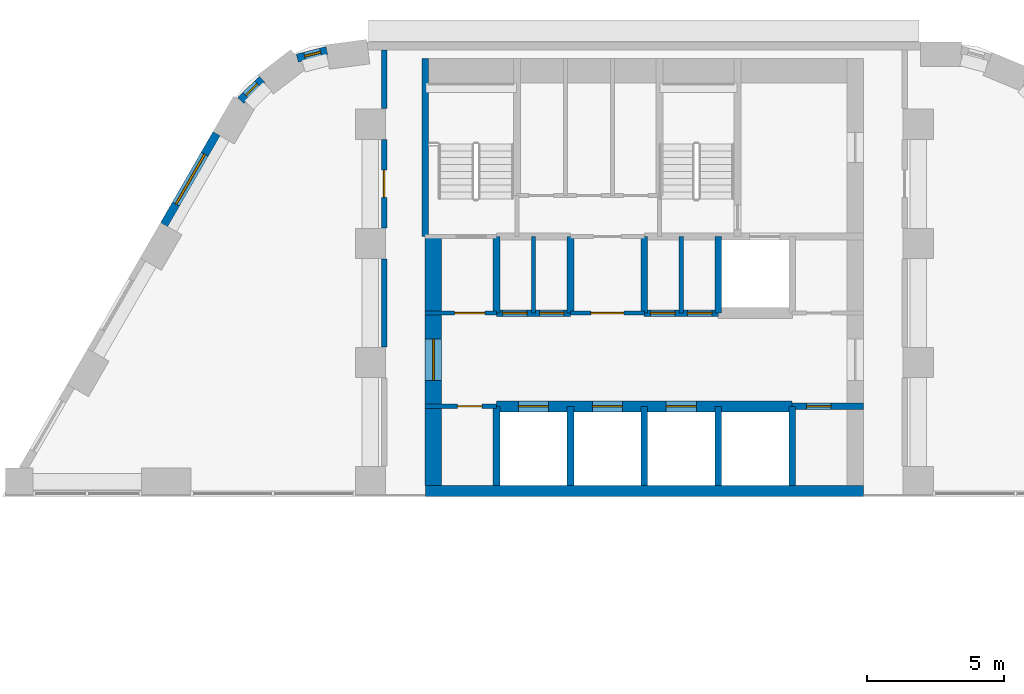
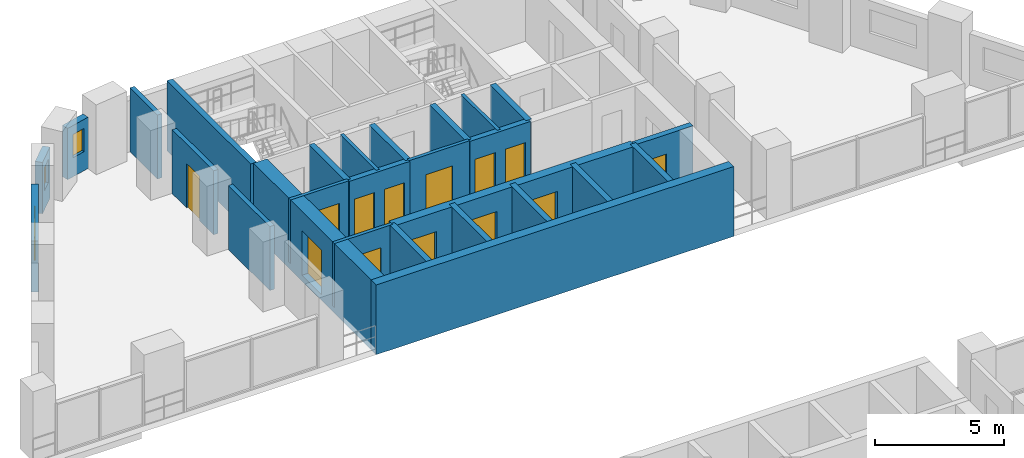
# One storey, part 7 of 11: 27 walls, 13 doors, 3 windows, 16 openings.
"""IFC4 building model written with IfcOpenShell, lengths in metres."""

from ifc_helpers import new_model, si_unit, direction, frame, frame_2d, origin, place, context, subcontext, project, spatial, rectangle, extrude, material, layer, layer_set, type_object, element, fill, save


model = new_model("IFC4")

# Units and contexts
model_context = context("Model", 3, precision=1e-05, world=origin(), true_north=direction((0.0, 1.0)))
body_context = subcontext(model_context, "Body", "Model", "MODEL_VIEW")
ifc_project = project(units=[si_unit("LENGTHUNIT", "METRE"), si_unit("AREAUNIT", "SQUARE_METRE"), si_unit("VOLUMEUNIT", "CUBIC_METRE"), si_unit("PLANEANGLEUNIT", "RADIAN"), si_unit("MASSUNIT", "GRAM", prefix="KILO")], contexts=[model_context])

# Site, building, storey
site_placement = place(None, origin())
site = spatial("IfcSite", under=ifc_project, at=site_placement, CompositionType="ELEMENT")
building_placement = place(site_placement, origin())
building = spatial("IfcBuilding", under=site, at=building_placement, Name="Nakaniwa Court", CompositionType="ELEMENT")
storey_placement = place(building_placement, frame((0.0, 0.0, 31.5)))
storey = spatial("IfcBuildingStorey", under=building, at=storey_placement, Name="L07", CompositionType="ELEMENT", Elevation=31.5)

# Wall
ifc_material_1 = material(Name="Acoustic double stud partition")
ifc_layer_1 = layer(ifc_material_1, 0.199951171875)
ifc_layer_set_1 = layer_set([ifc_layer_1], Name="Acoustic double stud partition")
wall_type_1 = type_object("IfcWallType", Name="Acoustic double stud partition 200", PredefinedType="PARTITIONING", material=ifc_layer_set_1)
wall_1_placement = place(storey_placement, frame((70.5, 92.866943359375, 0.0), z_axis=(0.0, 0.0, 1.0), x_axis=(0.0, 1.0, 0.0)))
element("IfcWall", 1, at=wall_1_placement, inside=storey, type_object=wall_type_1, Name="Partition PW-086", PredefinedType="PARTITIONING", context=body_context, shape_type="SweptSolid", body=[
    extrude(rectangle(XDim=3.216064453125, YDim=0.199951171875, at=frame_2d((1.60791015625, 0.0))), origin(), (0.0, 0.0, 1.0), 3.02490234375),
])

# Wall, opening, door
wall_2_placement = place(storey_placement, frame((70.5, 97.217041015625, 0.0), z_axis=(0.0, 0.0, 1.0), x_axis=(0.0, 1.0, 0.0)))
wall_2 = element("IfcWall", 2, at=wall_2_placement, inside=storey, type_object=wall_type_1, Name="Partition PW-087", PredefinedType="PARTITIONING", context=body_context, shape_type="SweptSolid", body=[
    extrude(rectangle(XDim=3.216064453125, YDim=0.199951171875, at=frame_2d((1.60791015625, 0.0))), origin(), (0.0, 0.0, 1.0), 3.02490234375),
])
opening_1_placement = place(wall_2_placement, frame((1.10791015625, 0.0, 0.0)))
opening_1 = element("IfcOpeningElement", 3, at=opening_1_placement, cuts=wall_2, Name="Opening D-02-04", PredefinedType="OPENING", context=body_context, shape_type="SweptSolid", body=[
    extrude(rectangle(XDim=1.0, YDim=2.10009765625, at=frame_2d((0.5, 1.050048828125))), frame((0.0, 0.10986328125, 0.0), z_axis=(0.0, -1.0, 0.0), x_axis=(1.0, 0.0, 0.0)), (0.0, 0.0, 1.0), 0.219970703125),
])
ifc_material_2 = material(Name="Solid core timber door set, black veneer", Category="wood")
door_type_1 = type_object("IfcDoorType", Name="Internal door 1000", OperationType="NOTDEFINED", PredefinedType="DOOR", material=ifc_material_2)
door_1_placement = place(opening_1_placement, origin())
door_1 = element("IfcDoor", 4, at=door_1_placement, inside=storey, type_object=door_type_1, Name="Door D-02-04 L07-034", OperationType="SINGLE_SWING_LEFT", OverallHeight=2.10009765625, OverallWidth=1.0, PredefinedType="DOOR", context=body_context, shape_type="SweptSolid", body=[
    extrude(rectangle(XDim=1.0, YDim=2.10009765625, at=frame_2d((0.5, 1.050048828125))), frame((0.0, 0.02490234375, 0.0), z_axis=(0.0, -1.0, 0.0), x_axis=(1.0, 0.0, 0.0)), (0.0, 0.0, 1.0), 0.050048828125),
])
fill(opening_1, door_1)

# Wall
wall_3_placement = place(storey_placement, frame((70.5, 101.56689453125, 0.0), z_axis=(0.0, 0.0, 1.0), x_axis=(0.0, 1.0, 0.0)))
element("IfcWall", 5, at=wall_3_placement, inside=storey, type_object=wall_type_1, Name="Partition PW-088", PredefinedType="PARTITIONING", context=body_context, shape_type="SweptSolid", body=[
    extrude(rectangle(XDim=2.133056640625, YDim=0.199951171875, at=frame_2d((1.06640625, 0.0))), origin(), (0.0, 0.0, 1.0), 3.02490234375),
])

# Wall, opening, window
ifc_material_3 = material(Name="Charcoal ceramic cladding")
ifc_layer_2 = layer(ifc_material_3, 0.02, Name="Ceramic cladding")
ifc_material_4 = material(Name="Ventilated air cavity")
ifc_layer_3 = layer(ifc_material_4, 0.04, ventilated=True, Name="Ventilated cavity")
ifc_material_5 = material(Name="Mineral wool insulation")
ifc_layer_4 = layer(ifc_material_5, 0.1, Name="Insulation")
ifc_material_6 = material(Name="Cement bonded sheathing board")
ifc_layer_5 = layer(ifc_material_6, 0.012, Name="Sheathing")
ifc_material_7 = material(Name="Cold-formed galvanised stud frame with mineral wool infill")
ifc_layer_6 = layer(ifc_material_7, 0.1, Name="Stud frame")
ifc_material_8 = material(Name="Fire-rated gypsum plasterboard lining")
ifc_layer_7 = layer(ifc_material_8, 0.028, Name="Lining")
ifc_layer_set_2 = layer_set([ifc_layer_2, ifc_layer_3, ifc_layer_4, ifc_layer_5, ifc_layer_6, ifc_layer_7], Name="Charcoal ceramic faced external wall system")
wall_type_2 = type_object("IfcWallType", Name="Black ceramic faced external wall 300", PredefinedType="SOLIDWALL", material=ifc_layer_set_2)
wall_4_placement = place(storey_placement, frame((68.4052734375, 103.68310546875, 0.0), z_axis=(0.0, 0.0, 1.0), x_axis=(-0.969766298956, -0.244035500304, 0.0)))
wall_4 = element("IfcWall", 6, at=wall_4_placement, inside=storey, type_object=wall_type_2, Name="L07 external wall 27", PredefinedType="SOLIDWALL", context=body_context, shape_type="SweptSolid", body=[
    extrude(rectangle(XDim=1.110595703125, YDim=0.300048828125, at=frame_2d((0.55517578125, 0.0))), origin(), (0.0, 0.0, 1.0), 2.425048828125),
])
opening_2_placement = place(wall_4_placement, frame((0.230712890625, 0.0, 0.89990234375)))
opening_2 = element("IfcOpeningElement", 7, at=opening_2_placement, cuts=wall_4, Name="Opening W8.18", PredefinedType="OPENING", context=body_context, shape_type="SweptSolid", body=[
    extrude(rectangle(XDim=0.60009765625, YDim=1.10009765625, at=frame_2d((0.300048828125, 0.550048828125))), frame((0.0, 0.159912109375, 0.0), z_axis=(0.0, -1.0, 0.0), x_axis=(1.0, 0.0, 0.0)), (0.0, 0.0, 1.0), 0.320068359375),
])
ifc_material_9 = material(Name="Black anodised aluminium frame with dark low-E laminated double glazing", Category="aluminium")
window_type_1 = type_object("IfcWindowType", Name="Dark glass window 600x1100 sill 900", PartitioningType="SINGLE_PANEL", PredefinedType="WINDOW", material=ifc_material_9)
window_1_placement = place(opening_2_placement, origin())
window_1 = element("IfcWindow", 8, at=window_1_placement, inside=storey, type_object=window_type_1, Name="L07 habitable room window 27-0", OverallHeight=1.10009765625, OverallWidth=0.60009765625, PartitioningType="SINGLE_PANEL", PredefinedType="WINDOW", context=body_context, shape_type="SweptSolid", body=[
    extrude(rectangle(XDim=0.60009765625, YDim=1.10009765625, at=frame_2d((0.300048828125, 0.550048828125))), frame((0.0, 0.030029296875, 0.0), z_axis=(0.0, -1.0, 0.0), x_axis=(1.0, 0.0, 0.0)), (0.0, 0.0, 1.0), 0.06005859375),
])
fill(opening_2, window_1)

wall_5_placement = place(storey_placement, frame((66.04150390625, 102.637451171875, 0.0), z_axis=(0.0, 0.0, 1.0), x_axis=(-0.708892395813, -0.705316646024, 0.0)))
wall_5 = element("IfcWall", 9, at=wall_5_placement, inside=storey, type_object=wall_type_2, Name="L07 external wall 28", PredefinedType="SOLIDWALL", context=body_context, shape_type="SweptSolid", body=[
    extrude(rectangle(XDim=1.092529296875, YDim=0.300048828125, at=frame_2d((0.54638671875, 0.0))), origin(), (0.0, 0.0, 1.0), 2.425048828125),
])
opening_3_placement = place(wall_5_placement, frame((0.23583984375, 0.0, 0.89990234375)))
opening_3 = element("IfcOpeningElement", 10, at=opening_3_placement, cuts=wall_5, Name="Opening W8.19", PredefinedType="OPENING", context=body_context, shape_type="SweptSolid", body=[
    extrude(rectangle(XDim=0.60009765625, YDim=1.10009765625, at=frame_2d((0.300048828125, 0.550048828125))), frame((0.0, 0.159912109375, 0.0), z_axis=(0.0, -1.0, 0.0), x_axis=(1.0, 0.0, 0.0)), (0.0, 0.0, 1.0), 0.320068359375),
])
window_2_placement = place(opening_3_placement, origin())
window_2 = element("IfcWindow", 11, at=window_2_placement, inside=storey, type_object=window_type_1, Name="L07 habitable room window 28-0", OverallHeight=1.10009765625, OverallWidth=0.60009765625, PartitioningType="SINGLE_PANEL", PredefinedType="WINDOW", context=body_context, shape_type="SweptSolid", body=[
    extrude(rectangle(XDim=0.60009765625, YDim=1.10009765625, at=frame_2d((0.300048828125, 0.550048828125))), frame((0.0, 0.030029296875, 0.0), z_axis=(0.0, -1.0, 0.0), x_axis=(1.0, 0.0, 0.0)), (0.0, 0.0, 1.0), 0.06005859375),
])
fill(opening_3, window_2)

wall_6_placement = place(storey_placement, frame((64.384765625, 100.653564453125, 0.0), z_axis=(0.0, 0.0, 1.0), x_axis=(-0.499974163209, -0.866040320149, 0.0)))
wall_6 = element("IfcWall", 12, at=wall_6_placement, inside=storey, type_object=wall_type_2, Name="L07 external wall 29", PredefinedType="SOLIDWALL", context=body_context, shape_type="SweptSolid", body=[
    extrude(rectangle(XDim=3.834228515625, YDim=0.300048828125, at=frame_2d((1.9169921875, 0.0))), origin(), (0.0, 0.0, 1.0), 2.425048828125),
])
opening_4_placement = place(wall_6_placement, frame((0.8671875, 0.0, 0.89990234375)))
opening_4 = element("IfcOpeningElement", 13, at=opening_4_placement, cuts=wall_6, Name="Opening W7.20", PredefinedType="OPENING", context=body_context, shape_type="SweptSolid", body=[
    extrude(rectangle(XDim=2.10009765625, YDim=1.10009765625, at=frame_2d((1.050048828125, 0.550048828125))), frame((0.0, 0.159912109375, 0.0), z_axis=(0.0, -1.0, 0.0), x_axis=(1.0, 0.0, 0.0)), (0.0, 0.0, 1.0), 0.320068359375),
])
window_type_2 = type_object("IfcWindowType", Name="Dark glass window 2100x1100 sill 900", PartitioningType="SINGLE_PANEL", PredefinedType="WINDOW", material=ifc_material_9)
window_3_placement = place(opening_4_placement, origin())
window_3 = element("IfcWindow", 14, at=window_3_placement, inside=storey, type_object=window_type_2, Name="L07 habitable room window 29-0", OverallHeight=1.10009765625, OverallWidth=2.10009765625, PartitioningType="SINGLE_PANEL", PredefinedType="WINDOW", context=body_context, shape_type="SweptSolid", body=[
    extrude(rectangle(XDim=2.10009765625, YDim=1.10009765625, at=frame_2d((1.050048828125, 0.550048828125))), frame((0.0, 0.030029296875, 0.0), z_axis=(0.0, -1.0, 0.0), x_axis=(1.0, 0.0, 0.0)), (0.0, 0.0, 1.0), 0.06005859375),
])
fill(opening_4, window_3)

# Wall, opening, door
ifc_material_10 = material(Name="Blockwork partition", Category="masonry")
ifc_layer_8 = layer(ifc_material_10, 0.14990234375)
ifc_layer_set_3 = layer_set([ifc_layer_8], Name="Blockwork partition")
wall_type_3 = type_object("IfcWallType", Name="Blockwork partition 150", PredefinedType="PARTITIONING", material=ifc_layer_set_3)
wall_7_placement = place(storey_placement, frame((74.60009765625, 90.699951171875, 0.0), z_axis=(0.0, 0.0, 1.0), x_axis=(-1.0, 0.0, 0.0)))
wall_7 = element("IfcWall", 15, at=wall_7_placement, inside=storey, type_object=wall_type_3, Name="Partition PW-003", PredefinedType="PARTITIONING", context=body_context, shape_type="SweptSolid", body=[
    extrude(rectangle(XDim=2.60009765625, YDim=0.14990234375, at=frame_2d((1.300048828125, 0.0))), origin(), (0.0, 0.0, 1.0), 3.02490234375),
])
opening_5_placement = place(wall_7_placement, frame((0.52490234375, 0.0, 0.0)))
opening_5 = element("IfcOpeningElement", 16, at=opening_5_placement, cuts=wall_7, Name="Opening D-05-01", PredefinedType="OPENING", context=body_context, shape_type="SweptSolid", body=[
    extrude(rectangle(XDim=0.89990234375, YDim=2.10009765625, at=frame_2d((0.449951171875, 1.050048828125))), frame((0.0, 0.0849609375, 0.0), z_axis=(0.0, -1.0, 0.0), x_axis=(1.0, 0.0, 0.0)), (0.0, 0.0, 1.0), 0.169921875),
])
ifc_material_11 = material(Name="Fire rated steel door set", Category="steel")
door_type_2 = type_object("IfcDoorType", Name="Service room door 900", OperationType="NOTDEFINED", PredefinedType="DOOR", material=ifc_material_11)
door_2_placement = place(opening_5_placement, origin())
door_2 = element("IfcDoor", 17, at=door_2_placement, inside=storey, type_object=door_type_2, Name="Door D-05-01 L07-001", OperationType="SINGLE_SWING_RIGHT", OverallHeight=2.10009765625, OverallWidth=0.89990234375, PredefinedType="DOOR", context=body_context, shape_type="SweptSolid", body=[
    extrude(rectangle(XDim=0.89990234375, YDim=2.10009765625, at=frame_2d((0.449951171875, 1.050048828125))), frame((0.0, 0.02490234375, 0.0), z_axis=(0.0, -1.0, 0.0), x_axis=(1.0, 0.0, 0.0)), (0.0, 0.0, 1.0), 0.050048828125),
])
fill(opening_5, door_2)

wall_8_placement = place(storey_placement, frame((72.0, 94.10009765625, 0.0), z_axis=(0.0, 0.0, 1.0), x_axis=(1.0, 0.0, 0.0)))
wall_8 = element("IfcWall", 18, at=wall_8_placement, inside=storey, type_object=wall_type_3, Name="Partition PW-016", PredefinedType="PARTITIONING", context=body_context, shape_type="SweptSolid", body=[
    extrude(rectangle(XDim=2.60302734375, YDim=0.14990234375, at=frame_2d((1.301513671875, 0.0))), origin(), (0.0, 0.0, 1.0), 3.02490234375),
])
opening_6_placement = place(wall_8_placement, frame((1.074951171875, 0.0, 0.0)))
opening_6 = element("IfcOpeningElement", 19, at=opening_6_placement, cuts=wall_8, Name="Opening D-08-01", PredefinedType="OPENING", context=body_context, shape_type="SweptSolid", body=[
    extrude(rectangle(XDim=1.10009765625, YDim=2.10009765625, at=frame_2d((0.550048828125, 1.050048828125))), frame((0.0, 0.0849609375, 0.0), z_axis=(0.0, -1.0, 0.0), x_axis=(1.0, 0.0, 0.0)), (0.0, 0.0, 1.0), 0.169921875),
])
door_type_3 = type_object("IfcDoorType", Name="Stair lobby door 1100", OperationType="NOTDEFINED", PredefinedType="DOOR", material=ifc_material_11)
door_3_placement = place(opening_6_placement, origin())
door_3 = element("IfcDoor", 20, at=door_3_placement, inside=storey, type_object=door_type_3, Name="Door D-08-01 L07-003", OperationType="SINGLE_SWING_RIGHT", OverallHeight=2.10009765625, OverallWidth=1.10009765625, PredefinedType="DOOR", context=body_context, shape_type="SweptSolid", body=[
    extrude(rectangle(XDim=1.10009765625, YDim=2.10009765625, at=frame_2d((0.550048828125, 1.050048828125))), frame((0.0, 0.02490234375, 0.0), z_axis=(0.0, -1.0, 0.0), x_axis=(1.0, 0.0, 0.0)), (0.0, 0.0, 1.0), 0.050048828125),
])
fill(opening_6, door_3)

wall_9_placement = place(storey_placement, frame((77.297119140625, 94.10009765625, 0.0), z_axis=(0.0, 0.0, 1.0), x_axis=(1.0, 0.0, 0.0)))
wall_9 = element("IfcWall", 21, at=wall_9_placement, inside=storey, type_object=wall_type_3, Name="Partition PW-017", PredefinedType="PARTITIONING", context=body_context, shape_type="SweptSolid", body=[
    extrude(rectangle(XDim=2.705810546875, YDim=0.14990234375, at=frame_2d((1.35302734375, 0.0))), origin(), (0.0, 0.0, 1.0), 3.02490234375),
])
opening_7_placement = place(wall_9_placement, frame((0.7529296875, 0.0, 0.0)))
opening_7 = element("IfcOpeningElement", 22, at=opening_7_placement, cuts=wall_9, Name="Opening D-06-01", PredefinedType="OPENING", context=body_context, shape_type="SweptSolid", body=[
    extrude(rectangle(XDim=1.199951171875, YDim=2.10009765625, at=frame_2d((0.60009765625, 1.050048828125))), frame((0.0, 0.0849609375, 0.0), z_axis=(0.0, -1.0, 0.0), x_axis=(1.0, 0.0, 0.0)), (0.0, 0.0, 1.0), 0.169921875),
])
ifc_material_12 = material(Name="Fire rated steel double door set", Category="steel")
door_type_4 = type_object("IfcDoorType", Name="Service passage double door 1200", OperationType="NOTDEFINED", PredefinedType="DOOR", material=ifc_material_12)
door_4_placement = place(opening_7_placement, origin())
door_4 = element("IfcDoor", 23, at=door_4_placement, inside=storey, type_object=door_type_4, Name="Door D-06-01 L07-006", OperationType="DOUBLE_DOOR_SINGLE_SWING", OverallHeight=2.10009765625, OverallWidth=1.199951171875, PredefinedType="DOOR", context=body_context, shape_type="SweptSolid", body=[
    extrude(rectangle(XDim=1.199951171875, YDim=2.10009765625, at=frame_2d((0.60009765625, 1.050048828125))), frame((0.0, 0.02490234375, 0.0), z_axis=(0.0, -1.0, 0.0), x_axis=(1.0, 0.0, 0.0)), (0.0, 0.0, 1.0), 0.050048828125),
])
fill(opening_7, door_4)

# Walls
for number, where, z_axis, x_axis, name in (
    (24, (75.949951171875, 94.10009765625, 0.0), (0.0, 0.0, 1.0), (0.0, 1.0, 0.0), "Partition PW-023"),
    (25, (81.35009765625, 94.10009765625, 0.0), (0.0, 0.0, 1.0), (0.0, 1.0, 0.0), "Partition PW-027"),
):
    element("IfcWall", number, at=place(storey_placement, frame(where, z_axis=z_axis, x_axis=x_axis)), inside=storey, type_object=wall_type_3, Name=name, PredefinedType="PARTITIONING", context=body_context, shape_type="SweptSolid", body=[
        extrude(rectangle(XDim=2.7998046875, YDim=0.14990234375, at=frame_2d((1.39990234375, 0.0))), origin(), (0.0, 0.0, 1.0), 3.02490234375),
    ])

# Wall, opening, door
ifc_material_13 = material(Name="Concrete C100/115", Category="concrete")
ifc_layer_9 = layer(ifc_material_13, 0.60009765625)
ifc_layer_set_4 = layer_set([ifc_layer_9], Name="Concrete C100/115")
wall_type_4 = type_object("IfcWallType", Name="Concrete core side wall 600 C100", PredefinedType="SHEAR", material=ifc_layer_set_4)
wall_10_placement = place(storey_placement, frame((72.300048828125, 87.800048828125, -0.27490234375), z_axis=(0.0, 0.0, 1.0), x_axis=(0.0, 1.0, 0.0)))
wall_10 = element("IfcWall", 26, at=wall_10_placement, inside=storey, type_object=wall_type_4, Name="Core wall SW-04", PredefinedType="SHEAR", context=body_context, shape_type="SweptSolid", body=[
    extrude(rectangle(XDim=9.099853515625, YDim=0.60009765625, at=frame_2d((4.5498046875, 0.0))), origin(), (0.0, 0.0, 1.0), 3.2998046875),
])
opening_8_placement = place(wall_10_placement, frame((3.85009765625, 0.0, 0.27490234375)))
opening_8 = element("IfcOpeningElement", 27, at=opening_8_placement, cuts=wall_10, Name="Opening D-07-02", PredefinedType="OPENING", context=body_context, shape_type="SweptSolid", body=[
    extrude(rectangle(XDim=1.5, YDim=2.10009765625, at=frame_2d((0.75, 1.050048828125))), frame((0.0, 0.31005859375, 0.0), z_axis=(0.0, -1.0, 0.0), x_axis=(1.0, 0.0, 0.0)), (0.0, 0.0, 1.0), 0.6201171875),
])
ifc_material_14 = material(Name="Glazed fire rated steel double door set", Category="steel")
door_type_5 = type_object("IfcDoorType", Name="Lobby double door 1500", OperationType="NOTDEFINED", PredefinedType="DOOR", material=ifc_material_14)
door_5_placement = place(opening_8_placement, origin())
door_5 = element("IfcDoor", 28, at=door_5_placement, inside=storey, type_object=door_type_5, Name="Door D-07-02 L07-036", OperationType="DOUBLE_DOOR_SINGLE_SWING", OverallHeight=2.10009765625, OverallWidth=1.5, PredefinedType="DOOR", context=body_context, shape_type="SweptSolid", body=[
    extrude(rectangle(XDim=1.5, YDim=2.10009765625, at=frame_2d((0.75, 1.050048828125))), frame((0.0, 0.02490234375, 0.0), z_axis=(0.0, -1.0, 0.0), x_axis=(1.0, 0.0, 0.0)), (0.0, 0.0, 1.0), 0.050048828125),
])
fill(opening_8, door_5)

# Wall, openings, doors
ifc_layer_10 = layer(ifc_material_13, 0.39990234375)
ifc_layer_set_5 = layer_set([ifc_layer_10], Name="Concrete C100/115")
wall_type_5 = type_object("IfcWallType", Name="Concrete core spine wall 400 C100", PredefinedType="SHEAR", material=ifc_layer_set_5)
wall_11_placement = place(storey_placement, frame((74.60009765625, 90.699951171875, -0.27490234375), z_axis=(0.0, 0.0, 1.0), x_axis=(1.0, 0.0, 0.0)))
wall_11 = element("IfcWall", 29, at=wall_11_placement, inside=storey, type_object=wall_type_5, Name="Core wall SW-07", PredefinedType="SHEAR", context=body_context, shape_type="SweptSolid", body=[
    extrude(rectangle(XDim=10.7998046875, YDim=0.39990234375, at=frame_2d((5.39990234375, 0.0))), origin(), (0.0, 0.0, 1.0), 3.2998046875),
])
opening_9_placement = place(wall_11_placement, frame((0.800048828125, 0.0, 0.27490234375)))
opening_9 = element("IfcOpeningElement", 30, at=opening_9_placement, cuts=wall_11, Name="Opening LD01", PredefinedType="OPENING", context=body_context, shape_type="SweptSolid", body=[
    extrude(rectangle(XDim=1.10009765625, YDim=2.10009765625, at=frame_2d((0.550048828125, 1.050048828125))), frame((0.0, 0.2099609375, 0.0), z_axis=(0.0, -1.0, 0.0), x_axis=(1.0, 0.0, 0.0)), (0.0, 0.0, 1.0), 0.419921875),
])
opening_10_placement = place(wall_11_placement, frame((3.5, 0.0, 0.27490234375)))
opening_10 = element("IfcOpeningElement", 31, at=opening_10_placement, cuts=wall_11, Name="Opening LD02", PredefinedType="OPENING", context=body_context, shape_type="SweptSolid", body=[
    extrude(rectangle(XDim=1.10009765625, YDim=2.10009765625, at=frame_2d((0.550048828125, 1.050048828125))), frame((0.0, 0.2099609375, 0.0), z_axis=(0.0, -1.0, 0.0), x_axis=(1.0, 0.0, 0.0)), (0.0, 0.0, 1.0), 0.419921875),
])
opening_11_placement = place(wall_11_placement, frame((6.199951171875, 0.0, 0.27490234375)))
opening_11 = element("IfcOpeningElement", 32, at=opening_11_placement, cuts=wall_11, Name="Opening LD03", PredefinedType="OPENING", context=body_context, shape_type="SweptSolid", body=[
    extrude(rectangle(XDim=1.10009765625, YDim=2.10009765625, at=frame_2d((0.550048828125, 1.050048828125))), frame((0.0, 0.2099609375, 0.0), z_axis=(0.0, -1.0, 0.0), x_axis=(1.0, 0.0, 0.0)), (0.0, 0.0, 1.0), 0.419921875),
])
ifc_material_15 = material(Name="Stainless steel sliding lift landing door", Category="steel")
door_type_6 = type_object("IfcDoorType", Name="Lift landing door 1100", OperationType="NOTDEFINED", PredefinedType="DOOR", material=ifc_material_15)
door_6_placement = place(opening_9_placement, origin())
door_6 = element("IfcDoor", 33, at=door_6_placement, inside=storey, type_object=door_type_6, Name="Lift landing door LD01 L07-001", OperationType="SLIDING_TO_LEFT", OverallHeight=2.10009765625, OverallWidth=1.10009765625, PredefinedType="DOOR", context=body_context, shape_type="SweptSolid", body=[
    extrude(rectangle(XDim=1.10009765625, YDim=2.10009765625, at=frame_2d((0.550048828125, 1.050048828125))), frame((0.0, 0.02490234375, 0.0), z_axis=(0.0, -1.0, 0.0), x_axis=(1.0, 0.0, 0.0)), (0.0, 0.0, 1.0), 0.050048828125),
])
fill(opening_9, door_6)
door_7_placement = place(opening_10_placement, origin())
door_7 = element("IfcDoor", 34, at=door_7_placement, inside=storey, type_object=door_type_6, Name="Lift landing door LD02 L07-002", OperationType="SLIDING_TO_LEFT", OverallHeight=2.10009765625, OverallWidth=1.10009765625, PredefinedType="DOOR", context=body_context, shape_type="SweptSolid", body=[
    extrude(rectangle(XDim=1.10009765625, YDim=2.10009765625, at=frame_2d((0.550048828125, 1.050048828125))), frame((0.0, 0.02490234375, 0.0), z_axis=(0.0, -1.0, 0.0), x_axis=(1.0, 0.0, 0.0)), (0.0, 0.0, 1.0), 0.050048828125),
])
fill(opening_10, door_7)
door_8_placement = place(opening_11_placement, origin())
door_8 = element("IfcDoor", 35, at=door_8_placement, inside=storey, type_object=door_type_6, Name="Lift landing door LD03 L07-003", OperationType="SLIDING_TO_LEFT", OverallHeight=2.10009765625, OverallWidth=1.10009765625, PredefinedType="DOOR", context=body_context, shape_type="SweptSolid", body=[
    extrude(rectangle(XDim=1.10009765625, YDim=2.10009765625, at=frame_2d((0.550048828125, 1.050048828125))), frame((0.0, 0.02490234375, 0.0), z_axis=(0.0, -1.0, 0.0), x_axis=(1.0, 0.0, 0.0)), (0.0, 0.0, 1.0), 0.050048828125),
])
fill(opening_11, door_8)

# Walls
ifc_layer_11 = layer(ifc_material_13, 0.25)
ifc_layer_set_6 = layer_set([ifc_layer_11], Name="Concrete C100/115")
wall_type_6 = type_object("IfcWallType", Name="Concrete core wall 250 C100", PredefinedType="SHEAR", material=ifc_layer_set_6)
wall_12_placement = place(storey_placement, frame((72.0, 96.89990234375, -0.27490234375), z_axis=(0.0, 0.0, 1.0), x_axis=(0.0, 1.0, 0.0)))
element("IfcWall", 36, at=wall_12_placement, inside=storey, type_object=wall_type_6, Name="Core wall SW-30", PredefinedType="SHEAR", context=body_context, shape_type="SweptSolid", body=[
    extrude(rectangle(XDim=6.5, YDim=0.25, at=frame_2d((3.25, 0.0))), origin(), (0.0, 0.0, 1.0), 3.2998046875),
])
ifc_layer_12 = layer(ifc_material_13, 0.39990234375)
ifc_layer_set_7 = layer_set([ifc_layer_12], Name="Concrete C100/115")
wall_type_7 = type_object("IfcWallType", Name="Concrete core well wall 400 C100", PredefinedType="SHEAR", material=ifc_layer_set_7)
wall_13_placement = place(storey_placement, frame((72.00390625, 87.60009765625, -0.27490234375), z_axis=(0.0, 0.0, 1.0), x_axis=(1.0, 0.0, 0.0)))
element("IfcWall", 37, at=wall_13_placement, inside=storey, type_object=wall_type_7, Name="Core wall SW-89", PredefinedType="SHEAR", context=body_context, shape_type="SweptSolid", body=[
    extrude(rectangle(XDim=15.9921875, YDim=0.39990234375, at=frame_2d((7.99609375, 0.0))), origin(), (0.0, 0.0, 1.0), 3.2998046875),
])
ifc_layer_13 = layer(ifc_material_13, 0.25)
ifc_layer_set_8 = layer_set([ifc_layer_13], Name="Concrete C100/115")
wall_type_8 = type_object("IfcWallType", Name="Concrete shaft wall 250 C100", PredefinedType="SHEAR", material=ifc_layer_set_8)
wall_14_placement = place(storey_placement, frame((74.60009765625, 87.800048828125, -0.27490234375), z_axis=(0.0, 0.0, 1.0), x_axis=(0.0, 1.0, 0.0)))
element("IfcWall", 38, at=wall_14_placement, inside=storey, type_object=wall_type_8, Name="Core wall SW-01", PredefinedType="SHEAR", context=body_context, shape_type="SweptSolid", body=[
    extrude(rectangle(XDim=2.89990234375, YDim=0.25, at=frame_2d((1.449951171875, 0.0))), origin(), (0.0, 0.0, 1.0), 3.2998046875),
])
wall_15_placement = place(storey_placement, frame((74.60009765625, 94.10009765625, -0.27490234375), z_axis=(0.0, 0.0, 1.0), x_axis=(0.0, 1.0, 0.0)))
element("IfcWall", 39, at=wall_15_placement, inside=storey, type_object=wall_type_8, Name="Core wall SW-02", PredefinedType="SHEAR", context=body_context, shape_type="SweptSolid", body=[
    extrude(rectangle(XDim=2.7998046875, YDim=0.25, at=frame_2d((1.39990234375, 0.0))), origin(), (0.0, 0.0, 1.0), 3.2998046875),
])
wall_16_placement = place(storey_placement, frame((77.300048828125, 87.800048828125, -0.27490234375), z_axis=(0.0, 0.0, 1.0), x_axis=(0.0, 1.0, 0.0)))
element("IfcWall", 40, at=wall_16_placement, inside=storey, type_object=wall_type_8, Name="Core wall SW-05", PredefinedType="SHEAR", context=body_context, shape_type="SweptSolid", body=[
    extrude(rectangle(XDim=2.89990234375, YDim=0.25, at=frame_2d((1.449951171875, 0.0))), origin(), (0.0, 0.0, 1.0), 3.2998046875),
])
wall_17_placement = place(storey_placement, frame((77.300048828125, 94.10009765625, -0.27490234375), z_axis=(0.0, 0.0, 1.0), x_axis=(0.0, 1.0, 0.0)))
element("IfcWall", 41, at=wall_17_placement, inside=storey, type_object=wall_type_8, Name="Core wall SW-06", PredefinedType="SHEAR", context=body_context, shape_type="SweptSolid", body=[
    extrude(rectangle(XDim=2.7998046875, YDim=0.25, at=frame_2d((1.39990234375, 0.0))), origin(), (0.0, 0.0, 1.0), 3.2998046875),
])
wall_18_placement = place(storey_placement, frame((80.0, 87.800048828125, -0.27490234375), z_axis=(0.0, 0.0, 1.0), x_axis=(0.0, 1.0, 0.0)))
element("IfcWall", 42, at=wall_18_placement, inside=storey, type_object=wall_type_8, Name="Core wall SW-08", PredefinedType="SHEAR", context=body_context, shape_type="SweptSolid", body=[
    extrude(rectangle(XDim=2.89990234375, YDim=0.25, at=frame_2d((1.449951171875, 0.0))), origin(), (0.0, 0.0, 1.0), 3.2998046875),
])
wall_19_placement = place(storey_placement, frame((80.0, 94.10009765625, -0.27490234375), z_axis=(0.0, 0.0, 1.0), x_axis=(0.0, 1.0, 0.0)))
element("IfcWall", 43, at=wall_19_placement, inside=storey, type_object=wall_type_8, Name="Core wall SW-09", PredefinedType="SHEAR", context=body_context, shape_type="SweptSolid", body=[
    extrude(rectangle(XDim=2.7998046875, YDim=0.25, at=frame_2d((1.39990234375, 0.0))), origin(), (0.0, 0.0, 1.0), 3.2998046875),
])
wall_20_placement = place(storey_placement, frame((82.699951171875, 87.800048828125, -0.27490234375), z_axis=(0.0, 0.0, 1.0), x_axis=(0.0, 1.0, 0.0)))
element("IfcWall", 44, at=wall_20_placement, inside=storey, type_object=wall_type_8, Name="Core wall SW-10", PredefinedType="SHEAR", context=body_context, shape_type="SweptSolid", body=[
    extrude(rectangle(XDim=2.89990234375, YDim=0.25, at=frame_2d((1.449951171875, 0.0))), origin(), (0.0, 0.0, 1.0), 3.2998046875),
])
wall_21_placement = place(storey_placement, frame((82.699951171875, 94.10009765625, -0.27490234375), z_axis=(0.0, 0.0, 1.0), x_axis=(0.0, 1.0, 0.0)))
element("IfcWall", 45, at=wall_21_placement, inside=storey, type_object=wall_type_8, Name="Core wall SW-11", PredefinedType="SHEAR", context=body_context, shape_type="SweptSolid", body=[
    extrude(rectangle(XDim=2.7998046875, YDim=0.25, at=frame_2d((1.39990234375, 0.0))), origin(), (0.0, 0.0, 1.0), 3.2998046875),
])
wall_22_placement = place(storey_placement, frame((85.39990234375, 87.800048828125, -0.27490234375), z_axis=(0.0, 0.0, 1.0), x_axis=(0.0, 1.0, 0.0)))
element("IfcWall", 46, at=wall_22_placement, inside=storey, type_object=wall_type_8, Name="Core wall SW-12", PredefinedType="SHEAR", context=body_context, shape_type="SweptSolid", body=[
    extrude(rectangle(XDim=2.89990234375, YDim=0.25, at=frame_2d((1.449951171875, 0.0))), origin(), (0.0, 0.0, 1.0), 3.2998046875),
])

# Wall, opening, door
wall_23_placement = place(storey_placement, frame((88.0, 90.699951171875, -0.27490234375), z_axis=(0.0, 0.0, 1.0), x_axis=(-1.0, 0.0, 0.0)))
wall_23 = element("IfcWall", 47, at=wall_23_placement, inside=storey, type_object=wall_type_8, Name="Core wall SW-14", PredefinedType="SHEAR", context=body_context, shape_type="SweptSolid", body=[
    extrude(rectangle(XDim=2.60009765625, YDim=0.25, at=frame_2d((1.300048828125, 0.0))), origin(), (0.0, 0.0, 1.0), 3.2998046875),
])
opening_12_placement = place(wall_23_placement, frame((1.175048828125, 0.0, 0.27490234375)))
opening_12 = element("IfcOpeningElement", 48, at=opening_12_placement, cuts=wall_23, Name="Opening D-05-02", PredefinedType="OPENING", context=body_context, shape_type="SweptSolid", body=[
    extrude(rectangle(XDim=0.89990234375, YDim=2.10009765625, at=frame_2d((0.449951171875, 1.050048828125))), frame((0.0, 0.135009765625, 0.0), z_axis=(0.0, -1.0, 0.0), x_axis=(1.0, 0.0, 0.0)), (0.0, 0.0, 1.0), 0.27001953125),
])
door_9_placement = place(opening_12_placement, origin())
door_9 = element("IfcDoor", 49, at=door_9_placement, inside=storey, type_object=door_type_2, Name="Door D-05-02 L07-002", OperationType="SINGLE_SWING_LEFT", OverallHeight=2.10009765625, OverallWidth=0.89990234375, PredefinedType="DOOR", context=body_context, shape_type="SweptSolid", body=[
    extrude(rectangle(XDim=0.89990234375, YDim=2.10009765625, at=frame_2d((0.449951171875, 1.050048828125))), frame((0.0, 0.02490234375, 0.0), z_axis=(0.0, -1.0, 0.0), x_axis=(1.0, 0.0, 0.0)), (0.0, 0.0, 1.0), 0.050048828125),
])
fill(opening_12, door_9)

# Wall, openings, doors
wall_24_placement = place(storey_placement, frame((74.596923828125, 94.10009765625, -0.27490234375), z_axis=(0.0, 0.0, 1.0), x_axis=(1.0, 0.0, 0.0)))
wall_24 = element("IfcWall", 50, at=wall_24_placement, inside=storey, type_object=wall_type_8, Name="Core wall SW-19", PredefinedType="SHEAR", context=body_context, shape_type="SweptSolid", body=[
    extrude(rectangle(XDim=2.7060546875, YDim=0.25, at=frame_2d((1.35302734375, 0.0))), origin(), (0.0, 0.0, 1.0), 3.2998046875),
])
opening_13_placement = place(wall_24_placement, frame((0.22802734375, 0.0, 0.27490234375)))
opening_13 = element("IfcOpeningElement", 51, at=opening_13_placement, cuts=wall_24, Name="Opening D-05-03", PredefinedType="OPENING", context=body_context, shape_type="SweptSolid", body=[
    extrude(rectangle(XDim=0.89990234375, YDim=2.10009765625, at=frame_2d((0.449951171875, 1.050048828125))), frame((0.0, 0.135009765625, 0.0), z_axis=(0.0, -1.0, 0.0), x_axis=(1.0, 0.0, 0.0)), (0.0, 0.0, 1.0), 0.27001953125),
])
opening_14_placement = place(wall_24_placement, frame((1.577880859375, 0.0, 0.27490234375)))
opening_14 = element("IfcOpeningElement", 52, at=opening_14_placement, cuts=wall_24, Name="Opening D-05-04", PredefinedType="OPENING", context=body_context, shape_type="SweptSolid", body=[
    extrude(rectangle(XDim=0.89990234375, YDim=2.10009765625, at=frame_2d((0.449951171875, 1.050048828125))), frame((0.0, 0.135009765625, 0.0), z_axis=(0.0, -1.0, 0.0), x_axis=(1.0, 0.0, 0.0)), (0.0, 0.0, 1.0), 0.27001953125),
])
door_10_placement = place(opening_13_placement, origin())
door_10 = element("IfcDoor", 53, at=door_10_placement, inside=storey, type_object=door_type_2, Name="Door D-05-03 L07-004", OperationType="SINGLE_SWING_LEFT", OverallHeight=2.10009765625, OverallWidth=0.89990234375, PredefinedType="DOOR", context=body_context, shape_type="SweptSolid", body=[
    extrude(rectangle(XDim=0.89990234375, YDim=2.10009765625, at=frame_2d((0.449951171875, 1.050048828125))), frame((0.0, 0.02490234375, 0.0), z_axis=(0.0, -1.0, 0.0), x_axis=(1.0, 0.0, 0.0)), (0.0, 0.0, 1.0), 0.050048828125),
])
fill(opening_13, door_10)
door_11_placement = place(opening_14_placement, origin())
door_11 = element("IfcDoor", 54, at=door_11_placement, inside=storey, type_object=door_type_2, Name="Door D-05-04 L07-005", OperationType="SINGLE_SWING_RIGHT", OverallHeight=2.10009765625, OverallWidth=0.89990234375, PredefinedType="DOOR", context=body_context, shape_type="SweptSolid", body=[
    extrude(rectangle(XDim=0.89990234375, YDim=2.10009765625, at=frame_2d((0.449951171875, 1.050048828125))), frame((0.0, 0.02490234375, 0.0), z_axis=(0.0, -1.0, 0.0), x_axis=(1.0, 0.0, 0.0)), (0.0, 0.0, 1.0), 0.050048828125),
])
fill(opening_14, door_11)

wall_25_placement = place(storey_placement, frame((79.9970703125, 94.10009765625, -0.27490234375), z_axis=(0.0, 0.0, 1.0), x_axis=(1.0, 0.0, 0.0)))
wall_25 = element("IfcWall", 55, at=wall_25_placement, inside=storey, type_object=wall_type_8, Name="Core wall SW-20", PredefinedType="SHEAR", context=body_context, shape_type="SweptSolid", body=[
    extrude(rectangle(XDim=2.705810546875, YDim=0.25, at=frame_2d((1.35302734375, 0.0))), origin(), (0.0, 0.0, 1.0), 3.2998046875),
])
opening_15_placement = place(wall_25_placement, frame((0.22802734375, 0.0, 0.27490234375)))
opening_15 = element("IfcOpeningElement", 56, at=opening_15_placement, cuts=wall_25, Name="Opening D-05-05", PredefinedType="OPENING", context=body_context, shape_type="SweptSolid", body=[
    extrude(rectangle(XDim=0.89990234375, YDim=2.10009765625, at=frame_2d((0.449951171875, 1.050048828125))), frame((0.0, 0.135009765625, 0.0), z_axis=(0.0, -1.0, 0.0), x_axis=(1.0, 0.0, 0.0)), (0.0, 0.0, 1.0), 0.27001953125),
])
opening_16_placement = place(wall_25_placement, frame((1.577880859375, 0.0, 0.27490234375)))
opening_16 = element("IfcOpeningElement", 57, at=opening_16_placement, cuts=wall_25, Name="Opening D-05-06", PredefinedType="OPENING", context=body_context, shape_type="SweptSolid", body=[
    extrude(rectangle(XDim=0.89990234375, YDim=2.10009765625, at=frame_2d((0.449951171875, 1.050048828125))), frame((0.0, 0.135009765625, 0.0), z_axis=(0.0, -1.0, 0.0), x_axis=(1.0, 0.0, 0.0)), (0.0, 0.0, 1.0), 0.27001953125),
])
door_12_placement = place(opening_15_placement, origin())
door_12 = element("IfcDoor", 58, at=door_12_placement, inside=storey, type_object=door_type_2, Name="Door D-05-05 L07-007", OperationType="SINGLE_SWING_RIGHT", OverallHeight=2.10009765625, OverallWidth=0.89990234375, PredefinedType="DOOR", context=body_context, shape_type="SweptSolid", body=[
    extrude(rectangle(XDim=0.89990234375, YDim=2.10009765625, at=frame_2d((0.449951171875, 1.050048828125))), frame((0.0, 0.02490234375, 0.0), z_axis=(0.0, -1.0, 0.0), x_axis=(1.0, 0.0, 0.0)), (0.0, 0.0, 1.0), 0.050048828125),
])
fill(opening_15, door_12)
door_13_placement = place(opening_16_placement, origin())
door_13 = element("IfcDoor", 59, at=door_13_placement, inside=storey, type_object=door_type_2, Name="Door D-05-06 L07-008", OperationType="SINGLE_SWING_LEFT", OverallHeight=2.10009765625, OverallWidth=0.89990234375, PredefinedType="DOOR", context=body_context, shape_type="SweptSolid", body=[
    extrude(rectangle(XDim=0.89990234375, YDim=2.10009765625, at=frame_2d((0.449951171875, 1.050048828125))), frame((0.0, 0.02490234375, 0.0), z_axis=(0.0, -1.0, 0.0), x_axis=(1.0, 0.0, 0.0)), (0.0, 0.0, 1.0), 0.050048828125),
])
fill(opening_16, door_13)

save(model, "model.ifc")
